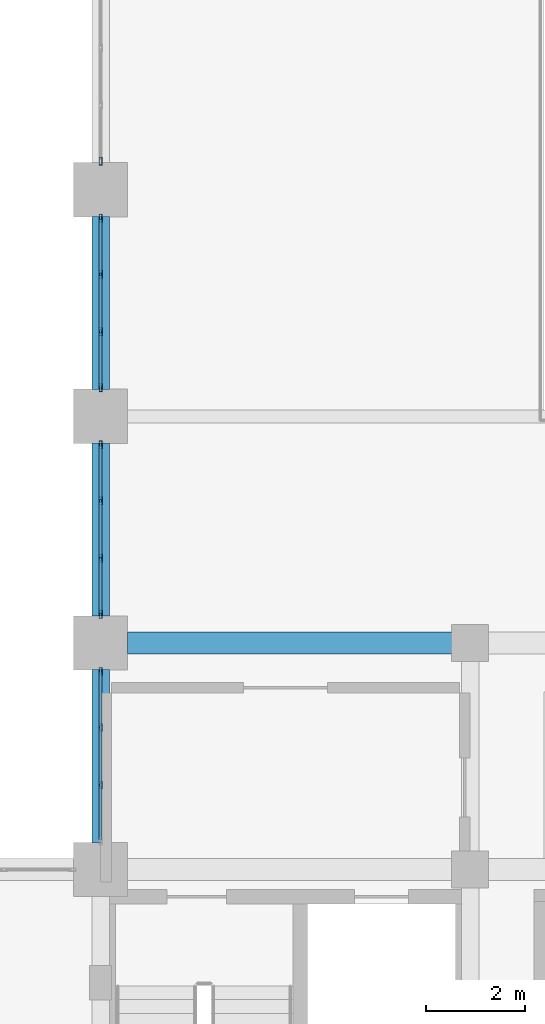
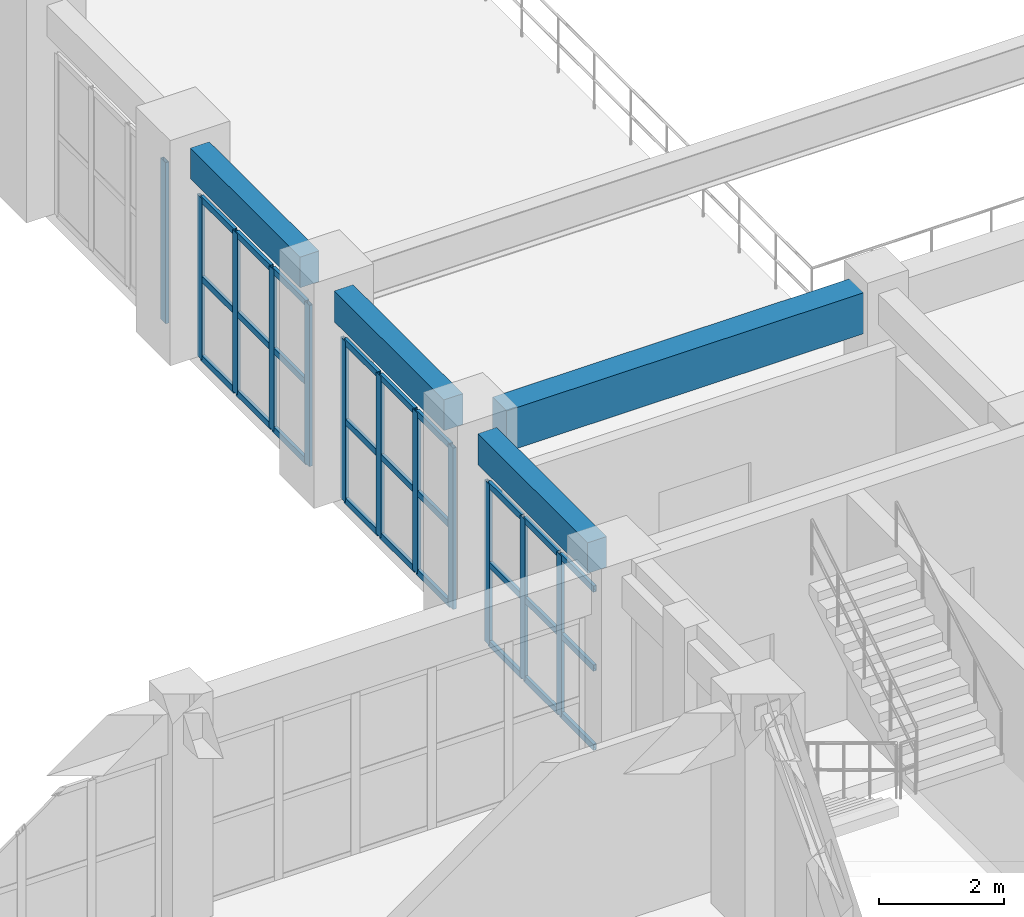
# One storey, part 14 of 90: 39 members, 4 beams, 4 elements without a shape of their own.
"""IFC4 building model written with IfcOpenShell, lengths in metres."""

from ifc_helpers import new_model, si_unit, direction, frame, origin, origin_2d, place, context, subcontext, project, spatial, rectangle, hollow_rectangle, extrude, material, layer, layer_set, material_profile, profile_set, type_object, element, aggregate, save


model = new_model("IFC4")

# Units and contexts
model_context = context("Model", 3, precision=1e-05, world=origin(), true_north=direction((0.0, 1.0)))
body_context = subcontext(model_context, "Body", "Model", "MODEL_VIEW")
ifc_project = project(units=[si_unit("LENGTHUNIT", "METRE"), si_unit("AREAUNIT", "SQUARE_METRE"), si_unit("VOLUMEUNIT", "CUBIC_METRE"), si_unit("PLANEANGLEUNIT", "RADIAN"), si_unit("MASSUNIT", "GRAM", prefix="KILO")], contexts=[model_context])

# Site, building, storey
site_placement = place(None, origin())
site = spatial("IfcSite", under=ifc_project, at=site_placement, CompositionType="ELEMENT")
building_placement = place(site_placement, origin())
building = spatial("IfcBuilding", under=site, at=building_placement, Name="Muzn Square Opera House", CompositionType="ELEMENT")
storey_placement = place(building_placement, frame((0.0, 0.0, 9.800048828125)))
storey = spatial("IfcBuildingStorey", under=building, at=storey_placement, Name="L02", CompositionType="ELEMENT", Elevation=9.800048828125)

# Curtain wall, members
ifc_material_1 = material(Name="Low-E laminated acoustic double glazing", Category="glass")
ifc_layer = layer(ifc_material_1, 0.159912109375, Name="Low-E laminated acoustic double glazing", Category="glass")
ifc_layer_set = layer_set([ifc_layer], Name="Low-E laminated acoustic double glazing")
curtain_wall_type = type_object("IfcCurtainWallType", Name="Glazed Curtain Wall WestVaultCourt 3500x3150", PredefinedType="USERDEFINED", material=ifc_layer_set)
curtain_wall_1_placement = place(storey_placement, origin())
curtain_wall_1 = element("IfcCurtainWall", 1, at=curtain_wall_1_placement, inside=storey, type_object=curtain_wall_type, Name="Glazed Curtain Wall CW-L02-049", ObjectType="GLAZED CURTAIN WALL", PredefinedType="USERDEFINED")
ifc_material_2 = material(Name="Anodised bronze aluminium 6063-T6", Category="metal")
ifc_material_profile_1 = material_profile(ifc_material_2, hollow_rectangle(XDim=0.06005859375, YDim=0.159912109375, WallThickness=0.00390625, at=origin_2d()), Name="ALU 160x60x4", Category="metal")
ifc_profile_set_1 = profile_set([ifc_material_profile_1], Name="Anodised bronze aluminium 6063-T6")
member_type_1 = type_object("IfcMemberType", Name="Curtain Wall Mullion 160x60", PredefinedType="MULLION", material=ifc_profile_set_1)
member_1_placement = place(storey_placement, frame((43.0, 32.916748046875, 0.0), z_axis=(0.0, 0.0, 1.0), x_axis=(-1.0, 0.0, 0.0)))
member_1 = element("IfcMember", 2, at=member_1_placement, type_object=member_type_1, Name="CW-WVC-35x31 mullion 2", PredefinedType="MULLION", context=body_context, shape_type="SweptSolid", body=[
    extrude(hollow_rectangle(XDim=0.06005859375, YDim=0.159912109375, WallThickness=0.00390625, at=origin_2d()), origin(), (0.0, 0.0, 1.0), 3.14990234375),
])
member_2_placement = place(storey_placement, frame((43.0, 34.083251953125, 0.0), z_axis=(0.0, 0.0, 1.0), x_axis=(-1.0, 0.0, 0.0)))
member_2 = element("IfcMember", 3, at=member_2_placement, type_object=member_type_1, Name="CW-WVC-35x31 mullion 3", PredefinedType="MULLION", context=body_context, shape_type="SweptSolid", body=[
    extrude(hollow_rectangle(XDim=0.06005859375, YDim=0.159912109375, WallThickness=0.00390625, at=origin_2d()), origin(), (0.0, 0.0, 1.0), 3.14990234375),
])
member_3_placement = place(storey_placement, frame((43.0, 35.219970703125, 0.0), z_axis=(0.0, 0.0, 1.0), x_axis=(-1.0, 0.0, 0.0)))
member_3 = element("IfcMember", 4, at=member_3_placement, type_object=member_type_1, Name="CW-WVC-35x31 mullion 4", PredefinedType="MULLION", context=body_context, shape_type="SweptSolid", body=[
    extrude(hollow_rectangle(XDim=0.06005859375, YDim=0.159912109375, WallThickness=0.00390625, at=origin_2d()), origin(), (0.0, 0.0, 1.0), 3.14990234375),
])

curtain_wall_2_placement = place(storey_placement, origin())
curtain_wall_2 = element("IfcCurtainWall", 5, at=curtain_wall_2_placement, inside=storey, type_object=curtain_wall_type, Name="Glazed Curtain Wall CW-L02-051", ObjectType="GLAZED CURTAIN WALL", PredefinedType="USERDEFINED")
member_4_placement = place(storey_placement, frame((43.0, 36.3798828125, 0.0), z_axis=(0.0, 0.0, 1.0), x_axis=(-1.0, 0.0, 0.0)))
member_4 = element("IfcMember", 6, at=member_4_placement, type_object=member_type_1, Name="CW-WVC-35x31 mullion 1", PredefinedType="MULLION", context=body_context, shape_type="SweptSolid", body=[
    extrude(hollow_rectangle(XDim=0.06005859375, YDim=0.159912109375, WallThickness=0.00390625, at=origin_2d()), origin(), (0.0, 0.0, 1.0), 3.14990234375),
])
member_5_placement = place(storey_placement, frame((43.0, 37.5166015625, 0.0), z_axis=(0.0, 0.0, 1.0), x_axis=(-1.0, 0.0, 0.0)))
member_5 = element("IfcMember", 7, at=member_5_placement, type_object=member_type_1, Name="CW-WVC-35x31 mullion 2", PredefinedType="MULLION", context=body_context, shape_type="SweptSolid", body=[
    extrude(hollow_rectangle(XDim=0.06005859375, YDim=0.159912109375, WallThickness=0.00390625, at=origin_2d()), origin(), (0.0, 0.0, 1.0), 3.14990234375),
])
member_6_placement = place(storey_placement, frame((43.0, 38.683349609375, 0.0), z_axis=(0.0, 0.0, 1.0), x_axis=(-1.0, 0.0, 0.0)))
member_6 = element("IfcMember", 8, at=member_6_placement, type_object=member_type_1, Name="CW-WVC-35x31 mullion 3", PredefinedType="MULLION", context=body_context, shape_type="SweptSolid", body=[
    extrude(hollow_rectangle(XDim=0.06005859375, YDim=0.159912109375, WallThickness=0.00390625, at=origin_2d()), origin(), (0.0, 0.0, 1.0), 3.14990234375),
])
member_7_placement = place(storey_placement, frame((43.0, 39.820068359375, 0.0), z_axis=(0.0, 0.0, 1.0), x_axis=(-1.0, 0.0, 0.0)))
member_7 = element("IfcMember", 9, at=member_7_placement, type_object=member_type_1, Name="CW-WVC-35x31 mullion 4", PredefinedType="MULLION", context=body_context, shape_type="SweptSolid", body=[
    extrude(hollow_rectangle(XDim=0.06005859375, YDim=0.159912109375, WallThickness=0.00390625, at=origin_2d()), origin(), (0.0, 0.0, 1.0), 3.14990234375),
])

curtain_wall_3_placement = place(storey_placement, origin())
curtain_wall_3 = element("IfcCurtainWall", 10, at=curtain_wall_3_placement, inside=storey, type_object=curtain_wall_type, Name="Glazed Curtain Wall CW-L02-053", ObjectType="GLAZED CURTAIN WALL", PredefinedType="USERDEFINED")
member_8_placement = place(storey_placement, frame((43.0, 40.97998046875, 0.0), z_axis=(0.0, 0.0, 1.0), x_axis=(-1.0, 0.0, 0.0)))
member_8 = element("IfcMember", 11, at=member_8_placement, type_object=member_type_1, Name="CW-WVC-35x31 mullion 1", PredefinedType="MULLION", context=body_context, shape_type="SweptSolid", body=[
    extrude(hollow_rectangle(XDim=0.06005859375, YDim=0.159912109375, WallThickness=0.00390625, at=origin_2d()), origin(), (0.0, 0.0, 1.0), 3.14990234375),
])
member_9_placement = place(storey_placement, frame((43.0, 42.11669921875, 0.0), z_axis=(0.0, 0.0, 1.0), x_axis=(-1.0, 0.0, 0.0)))
member_9 = element("IfcMember", 12, at=member_9_placement, type_object=member_type_1, Name="CW-WVC-35x31 mullion 2", PredefinedType="MULLION", context=body_context, shape_type="SweptSolid", body=[
    extrude(hollow_rectangle(XDim=0.06005859375, YDim=0.159912109375, WallThickness=0.00390625, at=origin_2d()), origin(), (0.0, 0.0, 1.0), 3.14990234375),
])
member_10_placement = place(storey_placement, frame((43.0, 43.283447265625, 0.0), z_axis=(0.0, 0.0, 1.0), x_axis=(-1.0, 0.0, 0.0)))
member_10 = element("IfcMember", 13, at=member_10_placement, type_object=member_type_1, Name="CW-WVC-35x31 mullion 3", PredefinedType="MULLION", context=body_context, shape_type="SweptSolid", body=[
    extrude(hollow_rectangle(XDim=0.06005859375, YDim=0.159912109375, WallThickness=0.00390625, at=origin_2d()), origin(), (0.0, 0.0, 1.0), 3.14990234375),
])
member_11_placement = place(storey_placement, frame((43.0, 44.419921875, 0.0), z_axis=(0.0, 0.0, 1.0), x_axis=(-1.0, 0.0, 0.0)))
member_11 = element("IfcMember", 14, at=member_11_placement, type_object=member_type_1, Name="CW-WVC-35x31 mullion 4", PredefinedType="MULLION", context=body_context, shape_type="SweptSolid", body=[
    extrude(hollow_rectangle(XDim=0.06005859375, YDim=0.159912109375, WallThickness=0.00390625, at=origin_2d()), origin(), (0.0, 0.0, 1.0), 3.14990234375),
])

# Curtain wall, member
curtain_wall_4_placement = place(storey_placement, origin())
curtain_wall_4 = element("IfcCurtainWall", 15, at=curtain_wall_4_placement, inside=storey, type_object=curtain_wall_type, Name="Glazed Curtain Wall CW-L02-055", ObjectType="GLAZED CURTAIN WALL", PredefinedType="USERDEFINED")
member_12_placement = place(storey_placement, frame((43.0, 45.580078125, 0.0), z_axis=(0.0, 0.0, 1.0), x_axis=(-1.0, 0.0, 0.0)))
member_12 = element("IfcMember", 16, at=member_12_placement, type_object=member_type_1, Name="CW-WVC-35x31 mullion 1", PredefinedType="MULLION", context=body_context, shape_type="SweptSolid", body=[
    extrude(hollow_rectangle(XDim=0.06005859375, YDim=0.159912109375, WallThickness=0.00390625, at=origin_2d()), origin(), (0.0, 0.0, 1.0), 3.14990234375),
])
aggregate(curtain_wall_4, [member_12])

# Member
ifc_material_profile_2 = material_profile(ifc_material_2, hollow_rectangle(XDim=0.06005859375, YDim=0.1201171875, WallThickness=0.00390625, at=origin_2d()), Name="ALU 120x60x4", Category="metal")
ifc_profile_set_2 = profile_set([ifc_material_profile_2], Name="Anodised bronze aluminium 6063-T6")
member_type_2 = type_object("IfcMemberType", Name="Curtain Wall Transom 120x60", PredefinedType="USERDEFINED", material=ifc_profile_set_2)
member_13_placement = place(storey_placement, frame((43.0, 31.81005859375, 0.030029296875), z_axis=(0.0, 1.0, 0.0), x_axis=(-1.0, 0.0, 0.0)))
member_13 = element("IfcMember", 17, at=member_13_placement, type_object=member_type_2, Name="CW-WVC-35x31 transom 1.1", ObjectType="TRANSOM", PredefinedType="USERDEFINED", context=body_context, shape_type="SweptSolid", body=[
    extrude(hollow_rectangle(XDim=0.06005859375, YDim=0.1201171875, WallThickness=0.00390625, at=origin_2d()), origin(), (0.0, 0.0, 1.0), 1.07666015625),
])

member_14_placement = place(storey_placement, frame((43.0, 31.81005859375, 1.574951171875), z_axis=(0.0, 1.0, 0.0), x_axis=(-1.0, 0.0, 0.0)))
member_14 = element("IfcMember", 18, at=member_14_placement, type_object=member_type_2, Name="CW-WVC-35x31 transom 1.2", ObjectType="TRANSOM", PredefinedType="USERDEFINED", context=body_context, shape_type="SweptSolid", body=[
    extrude(hollow_rectangle(XDim=0.06005859375, YDim=0.1201171875, WallThickness=0.00390625, at=origin_2d()), origin(), (0.0, 0.0, 1.0), 1.07666015625),
])

member_15_placement = place(storey_placement, frame((43.0, 31.81005859375, 3.119873046875), z_axis=(0.0, 1.0, 0.0), x_axis=(-1.0, 0.0, 0.0)))
member_15 = element("IfcMember", 19, at=member_15_placement, type_object=member_type_2, Name="CW-WVC-35x31 transom 1.3", ObjectType="TRANSOM", PredefinedType="USERDEFINED", context=body_context, shape_type="SweptSolid", body=[
    extrude(hollow_rectangle(XDim=0.06005859375, YDim=0.1201171875, WallThickness=0.00390625, at=origin_2d()), origin(), (0.0, 0.0, 1.0), 1.07666015625),
])

member_16_placement = place(storey_placement, frame((43.0, 32.94677734375, 0.030029296875), z_axis=(0.0, 1.0, 0.0), x_axis=(-1.0, 0.0, 0.0)))
member_16 = element("IfcMember", 20, at=member_16_placement, type_object=member_type_2, Name="CW-WVC-35x31 transom 2.1", ObjectType="TRANSOM", PredefinedType="USERDEFINED", context=body_context, shape_type="SweptSolid", body=[
    extrude(hollow_rectangle(XDim=0.06005859375, YDim=0.1201171875, WallThickness=0.00390625, at=origin_2d()), origin(), (0.0, 0.0, 1.0), 1.1064453125),
])

member_17_placement = place(storey_placement, frame((43.0, 32.94677734375, 1.574951171875), z_axis=(0.0, 1.0, 0.0), x_axis=(-1.0, 0.0, 0.0)))
member_17 = element("IfcMember", 21, at=member_17_placement, type_object=member_type_2, Name="CW-WVC-35x31 transom 2.2", ObjectType="TRANSOM", PredefinedType="USERDEFINED", context=body_context, shape_type="SweptSolid", body=[
    extrude(hollow_rectangle(XDim=0.06005859375, YDim=0.1201171875, WallThickness=0.00390625, at=origin_2d()), origin(), (0.0, 0.0, 1.0), 1.1064453125),
])

member_18_placement = place(storey_placement, frame((43.0, 32.94677734375, 3.119873046875), z_axis=(0.0, 1.0, 0.0), x_axis=(-1.0, 0.0, 0.0)))
member_18 = element("IfcMember", 22, at=member_18_placement, type_object=member_type_2, Name="CW-WVC-35x31 transom 2.3", ObjectType="TRANSOM", PredefinedType="USERDEFINED", context=body_context, shape_type="SweptSolid", body=[
    extrude(hollow_rectangle(XDim=0.06005859375, YDim=0.1201171875, WallThickness=0.00390625, at=origin_2d()), origin(), (0.0, 0.0, 1.0), 1.1064453125),
])

member_19_placement = place(storey_placement, frame((43.0, 34.11328125, 0.030029296875), z_axis=(0.0, 1.0, 0.0), x_axis=(-1.0, 0.0, 0.0)))
member_19 = element("IfcMember", 23, at=member_19_placement, type_object=member_type_2, Name="CW-WVC-35x31 transom 3.1", ObjectType="TRANSOM", PredefinedType="USERDEFINED", context=body_context, shape_type="SweptSolid", body=[
    extrude(hollow_rectangle(XDim=0.06005859375, YDim=0.1201171875, WallThickness=0.00390625, at=origin_2d()), origin(), (0.0, 0.0, 1.0), 1.07666015625),
])

member_20_placement = place(storey_placement, frame((43.0, 34.11328125, 1.574951171875), z_axis=(0.0, 1.0, 0.0), x_axis=(-1.0, 0.0, 0.0)))
member_20 = element("IfcMember", 24, at=member_20_placement, type_object=member_type_2, Name="CW-WVC-35x31 transom 3.2", ObjectType="TRANSOM", PredefinedType="USERDEFINED", context=body_context, shape_type="SweptSolid", body=[
    extrude(hollow_rectangle(XDim=0.06005859375, YDim=0.1201171875, WallThickness=0.00390625, at=origin_2d()), origin(), (0.0, 0.0, 1.0), 1.07666015625),
])

member_21_placement = place(storey_placement, frame((43.0, 34.11328125, 3.119873046875), z_axis=(0.0, 1.0, 0.0), x_axis=(-1.0, 0.0, 0.0)))
member_21 = element("IfcMember", 25, at=member_21_placement, type_object=member_type_2, Name="CW-WVC-35x31 transom 3.3", ObjectType="TRANSOM", PredefinedType="USERDEFINED", context=body_context, shape_type="SweptSolid", body=[
    extrude(hollow_rectangle(XDim=0.06005859375, YDim=0.1201171875, WallThickness=0.00390625, at=origin_2d()), origin(), (0.0, 0.0, 1.0), 1.07666015625),
])

aggregate(curtain_wall_1, [member_1, member_2, member_3, member_13, member_14, member_15, member_16, member_17, member_18, member_19, member_20, member_21])

member_22_placement = place(storey_placement, frame((43.0, 36.409912109375, 0.030029296875), z_axis=(0.0, 1.0, 0.0), x_axis=(-1.0, 0.0, 0.0)))
member_22 = element("IfcMember", 26, at=member_22_placement, type_object=member_type_2, Name="CW-WVC-35x31 transom 1.1", ObjectType="TRANSOM", PredefinedType="USERDEFINED", context=body_context, shape_type="SweptSolid", body=[
    extrude(hollow_rectangle(XDim=0.06005859375, YDim=0.1201171875, WallThickness=0.00390625, at=origin_2d()), origin(), (0.0, 0.0, 1.0), 1.07666015625),
])

member_23_placement = place(storey_placement, frame((43.0, 36.409912109375, 1.574951171875), z_axis=(0.0, 1.0, 0.0), x_axis=(-1.0, 0.0, 0.0)))
member_23 = element("IfcMember", 27, at=member_23_placement, type_object=member_type_2, Name="CW-WVC-35x31 transom 1.2", ObjectType="TRANSOM", PredefinedType="USERDEFINED", context=body_context, shape_type="SweptSolid", body=[
    extrude(hollow_rectangle(XDim=0.06005859375, YDim=0.1201171875, WallThickness=0.00390625, at=origin_2d()), origin(), (0.0, 0.0, 1.0), 1.07666015625),
])

member_24_placement = place(storey_placement, frame((43.0, 36.409912109375, 3.119873046875), z_axis=(0.0, 1.0, 0.0), x_axis=(-1.0, 0.0, 0.0)))
member_24 = element("IfcMember", 28, at=member_24_placement, type_object=member_type_2, Name="CW-WVC-35x31 transom 1.3", ObjectType="TRANSOM", PredefinedType="USERDEFINED", context=body_context, shape_type="SweptSolid", body=[
    extrude(hollow_rectangle(XDim=0.06005859375, YDim=0.1201171875, WallThickness=0.00390625, at=origin_2d()), origin(), (0.0, 0.0, 1.0), 1.07666015625),
])

member_25_placement = place(storey_placement, frame((43.0, 37.546630859375, 0.030029296875), z_axis=(0.0, 1.0, 0.0), x_axis=(-1.0, 0.0, 0.0)))
member_25 = element("IfcMember", 29, at=member_25_placement, type_object=member_type_2, Name="CW-WVC-35x31 transom 2.1", ObjectType="TRANSOM", PredefinedType="USERDEFINED", context=body_context, shape_type="SweptSolid", body=[
    extrude(hollow_rectangle(XDim=0.06005859375, YDim=0.1201171875, WallThickness=0.00390625, at=origin_2d()), origin(), (0.0, 0.0, 1.0), 1.106689453125),
])

member_26_placement = place(storey_placement, frame((43.0, 37.546630859375, 1.574951171875), z_axis=(0.0, 1.0, 0.0), x_axis=(-1.0, 0.0, 0.0)))
member_26 = element("IfcMember", 30, at=member_26_placement, type_object=member_type_2, Name="CW-WVC-35x31 transom 2.2", ObjectType="TRANSOM", PredefinedType="USERDEFINED", context=body_context, shape_type="SweptSolid", body=[
    extrude(hollow_rectangle(XDim=0.06005859375, YDim=0.1201171875, WallThickness=0.00390625, at=origin_2d()), origin(), (0.0, 0.0, 1.0), 1.106689453125),
])

member_27_placement = place(storey_placement, frame((43.0, 37.546630859375, 3.119873046875), z_axis=(0.0, 1.0, 0.0), x_axis=(-1.0, 0.0, 0.0)))
member_27 = element("IfcMember", 31, at=member_27_placement, type_object=member_type_2, Name="CW-WVC-35x31 transom 2.3", ObjectType="TRANSOM", PredefinedType="USERDEFINED", context=body_context, shape_type="SweptSolid", body=[
    extrude(hollow_rectangle(XDim=0.06005859375, YDim=0.1201171875, WallThickness=0.00390625, at=origin_2d()), origin(), (0.0, 0.0, 1.0), 1.106689453125),
])

member_28_placement = place(storey_placement, frame((43.0, 38.71337890625, 0.030029296875), z_axis=(0.0, 1.0, 0.0), x_axis=(-1.0, 0.0, 0.0)))
member_28 = element("IfcMember", 32, at=member_28_placement, type_object=member_type_2, Name="CW-WVC-35x31 transom 3.1", ObjectType="TRANSOM", PredefinedType="USERDEFINED", context=body_context, shape_type="SweptSolid", body=[
    extrude(hollow_rectangle(XDim=0.06005859375, YDim=0.1201171875, WallThickness=0.00390625, at=origin_2d()), origin(), (0.0, 0.0, 1.0), 1.07666015625),
])

member_29_placement = place(storey_placement, frame((43.0, 38.71337890625, 1.574951171875), z_axis=(0.0, 1.0, 0.0), x_axis=(-1.0, 0.0, 0.0)))
member_29 = element("IfcMember", 33, at=member_29_placement, type_object=member_type_2, Name="CW-WVC-35x31 transom 3.2", ObjectType="TRANSOM", PredefinedType="USERDEFINED", context=body_context, shape_type="SweptSolid", body=[
    extrude(hollow_rectangle(XDim=0.06005859375, YDim=0.1201171875, WallThickness=0.00390625, at=origin_2d()), origin(), (0.0, 0.0, 1.0), 1.07666015625),
])

member_30_placement = place(storey_placement, frame((43.0, 38.71337890625, 3.119873046875), z_axis=(0.0, 1.0, 0.0), x_axis=(-1.0, 0.0, 0.0)))
member_30 = element("IfcMember", 34, at=member_30_placement, type_object=member_type_2, Name="CW-WVC-35x31 transom 3.3", ObjectType="TRANSOM", PredefinedType="USERDEFINED", context=body_context, shape_type="SweptSolid", body=[
    extrude(hollow_rectangle(XDim=0.06005859375, YDim=0.1201171875, WallThickness=0.00390625, at=origin_2d()), origin(), (0.0, 0.0, 1.0), 1.07666015625),
])

aggregate(curtain_wall_2, [member_4, member_5, member_6, member_7, member_22, member_23, member_24, member_25, member_26, member_27, member_28, member_29, member_30])

member_31_placement = place(storey_placement, frame((43.0, 41.010009765625, 0.030029296875), z_axis=(0.0, 1.0, 0.0), x_axis=(-1.0, 0.0, 0.0)))
member_31 = element("IfcMember", 35, at=member_31_placement, type_object=member_type_2, Name="CW-WVC-35x31 transom 1.1", ObjectType="TRANSOM", PredefinedType="USERDEFINED", context=body_context, shape_type="SweptSolid", body=[
    extrude(hollow_rectangle(XDim=0.06005859375, YDim=0.1201171875, WallThickness=0.00390625, at=origin_2d()), origin(), (0.0, 0.0, 1.0), 1.07666015625),
])

member_32_placement = place(storey_placement, frame((43.0, 41.010009765625, 1.574951171875), z_axis=(0.0, 1.0, 0.0), x_axis=(-1.0, 0.0, 0.0)))
member_32 = element("IfcMember", 36, at=member_32_placement, type_object=member_type_2, Name="CW-WVC-35x31 transom 1.2", ObjectType="TRANSOM", PredefinedType="USERDEFINED", context=body_context, shape_type="SweptSolid", body=[
    extrude(hollow_rectangle(XDim=0.06005859375, YDim=0.1201171875, WallThickness=0.00390625, at=origin_2d()), origin(), (0.0, 0.0, 1.0), 1.07666015625),
])

member_33_placement = place(storey_placement, frame((43.0, 41.010009765625, 3.119873046875), z_axis=(0.0, 1.0, 0.0), x_axis=(-1.0, 0.0, 0.0)))
member_33 = element("IfcMember", 37, at=member_33_placement, type_object=member_type_2, Name="CW-WVC-35x31 transom 1.3", ObjectType="TRANSOM", PredefinedType="USERDEFINED", context=body_context, shape_type="SweptSolid", body=[
    extrude(hollow_rectangle(XDim=0.06005859375, YDim=0.1201171875, WallThickness=0.00390625, at=origin_2d()), origin(), (0.0, 0.0, 1.0), 1.07666015625),
])

member_34_placement = place(storey_placement, frame((43.0, 42.146728515625, 0.030029296875), z_axis=(0.0, 1.0, 0.0), x_axis=(-1.0, 0.0, 0.0)))
member_34 = element("IfcMember", 38, at=member_34_placement, type_object=member_type_2, Name="CW-WVC-35x31 transom 2.1", ObjectType="TRANSOM", PredefinedType="USERDEFINED", context=body_context, shape_type="SweptSolid", body=[
    extrude(hollow_rectangle(XDim=0.06005859375, YDim=0.1201171875, WallThickness=0.00390625, at=origin_2d()), origin(), (0.0, 0.0, 1.0), 1.106689453125),
])

member_35_placement = place(storey_placement, frame((43.0, 42.146728515625, 1.574951171875), z_axis=(0.0, 1.0, 0.0), x_axis=(-1.0, 0.0, 0.0)))
member_35 = element("IfcMember", 39, at=member_35_placement, type_object=member_type_2, Name="CW-WVC-35x31 transom 2.2", ObjectType="TRANSOM", PredefinedType="USERDEFINED", context=body_context, shape_type="SweptSolid", body=[
    extrude(hollow_rectangle(XDim=0.06005859375, YDim=0.1201171875, WallThickness=0.00390625, at=origin_2d()), origin(), (0.0, 0.0, 1.0), 1.106689453125),
])

member_36_placement = place(storey_placement, frame((43.0, 42.146728515625, 3.119873046875), z_axis=(0.0, 1.0, 0.0), x_axis=(-1.0, 0.0, 0.0)))
member_36 = element("IfcMember", 40, at=member_36_placement, type_object=member_type_2, Name="CW-WVC-35x31 transom 2.3", ObjectType="TRANSOM", PredefinedType="USERDEFINED", context=body_context, shape_type="SweptSolid", body=[
    extrude(hollow_rectangle(XDim=0.06005859375, YDim=0.1201171875, WallThickness=0.00390625, at=origin_2d()), origin(), (0.0, 0.0, 1.0), 1.106689453125),
])

member_37_placement = place(storey_placement, frame((43.0, 43.313232421875, 0.030029296875), z_axis=(0.0, 1.0, 0.0), x_axis=(-1.0, 0.0, 0.0)))
member_37 = element("IfcMember", 41, at=member_37_placement, type_object=member_type_2, Name="CW-WVC-35x31 transom 3.1", ObjectType="TRANSOM", PredefinedType="USERDEFINED", context=body_context, shape_type="SweptSolid", body=[
    extrude(hollow_rectangle(XDim=0.06005859375, YDim=0.1201171875, WallThickness=0.00390625, at=origin_2d()), origin(), (0.0, 0.0, 1.0), 1.07666015625),
])

member_38_placement = place(storey_placement, frame((43.0, 43.313232421875, 1.574951171875), z_axis=(0.0, 1.0, 0.0), x_axis=(-1.0, 0.0, 0.0)))
member_38 = element("IfcMember", 42, at=member_38_placement, type_object=member_type_2, Name="CW-WVC-35x31 transom 3.2", ObjectType="TRANSOM", PredefinedType="USERDEFINED", context=body_context, shape_type="SweptSolid", body=[
    extrude(hollow_rectangle(XDim=0.06005859375, YDim=0.1201171875, WallThickness=0.00390625, at=origin_2d()), origin(), (0.0, 0.0, 1.0), 1.07666015625),
])

member_39_placement = place(storey_placement, frame((43.0, 43.313232421875, 3.119873046875), z_axis=(0.0, 1.0, 0.0), x_axis=(-1.0, 0.0, 0.0)))
member_39 = element("IfcMember", 43, at=member_39_placement, type_object=member_type_2, Name="CW-WVC-35x31 transom 3.3", ObjectType="TRANSOM", PredefinedType="USERDEFINED", context=body_context, shape_type="SweptSolid", body=[
    extrude(hollow_rectangle(XDim=0.06005859375, YDim=0.1201171875, WallThickness=0.00390625, at=origin_2d()), origin(), (0.0, 0.0, 1.0), 1.07666015625),
])

aggregate(curtain_wall_3, [member_8, member_9, member_10, member_11, member_31, member_32, member_33, member_34, member_35, member_36, member_37, member_38, member_39])

# Beams
ifc_material_3 = material(Name="Concrete C40/50", Category="concrete")
ifc_material_profile_3 = material_profile(ifc_material_3, rectangle(XDim=0.35009765625, YDim=0.60009765625, at=origin_2d()), Name="RCB 350x600", Category="concrete")
ifc_profile_set_3 = profile_set([ifc_material_profile_3], Name="Concrete C40/50")
beam_type_1 = type_object("IfcBeamType", Name="Primary Girder 350x600", PredefinedType="BEAM", material=ifc_profile_set_3)
beam_1_placement = place(storey_placement, frame((43.0, 31.741943359375, 3.820068359375), z_axis=(0.0, 1.0, 0.0), x_axis=(-1.0, 0.0, 0.0)))
element("IfcBeam", 44, at=beam_1_placement, inside=storey, type_object=beam_type_1, Name="Primary Girder BM-L02-BM-PG600-430_317_430_353-2155", PredefinedType="BEAM", context=body_context, shape_type="SweptSolid", body=[
    extrude(rectangle(XDim=0.35009765625, YDim=0.60009765625, at=origin_2d()), origin(), (0.0, 0.0, 1.0), 3.51611328125),
])
beam_2_placement = place(storey_placement, frame((43.0, 36.342041015625, 3.820068359375), z_axis=(0.0, 1.0, 0.0), x_axis=(-1.0, 0.0, 0.0)))
element("IfcBeam", 45, at=beam_2_placement, inside=storey, type_object=beam_type_1, Name="Primary Girder BM-L02-BM-PG600-430_363_430_399-2156", PredefinedType="BEAM", context=body_context, shape_type="SweptSolid", body=[
    extrude(rectangle(XDim=0.35009765625, YDim=0.60009765625, at=origin_2d()), origin(), (0.0, 0.0, 1.0), 3.515869140625),
])
beam_3_placement = place(storey_placement, frame((43.0, 40.94189453125, 3.820068359375), z_axis=(0.0, 1.0, 0.0), x_axis=(-1.0, 0.0, 0.0)))
element("IfcBeam", 46, at=beam_3_placement, inside=storey, type_object=beam_type_1, Name="Primary Girder BM-L02-BM-PG600-430_409_430_445-2157", PredefinedType="BEAM", context=body_context, shape_type="SweptSolid", body=[
    extrude(rectangle(XDim=0.35009765625, YDim=0.60009765625, at=origin_2d()), origin(), (0.0, 0.0, 1.0), 3.51611328125),
])
ifc_material_profile_4 = material_profile(ifc_material_3, rectangle(XDim=0.449951171875, YDim=0.800048828125, at=origin_2d()), Name="RCB 450x800", Category="concrete")
ifc_profile_set_4 = profile_set([ifc_material_profile_4], Name="Concrete C40/50")
beam_type_2 = type_object("IfcBeamType", Name="Primary Girder 450x800", PredefinedType="BEAM", material=ifc_profile_set_4)
beam_4_placement = place(storey_placement, frame((43.5419921875, 35.800048828125, 3.719970703125), z_axis=(1.0, 0.0, 0.0), x_axis=(0.0, 1.0, 0.0)))
element("IfcBeam", 47, at=beam_4_placement, inside=storey, type_object=beam_type_2, Name="Primary Girder BM-L02-BM-PG800-435_358_501_358-1998", PredefinedType="BEAM", context=body_context, shape_type="SweptSolid", body=[
    extrude(rectangle(XDim=0.449951171875, YDim=0.800048828125, at=origin_2d()), origin(), (0.0, 0.0, 1.0), 6.591064453125),
])

save(model, "model.ifc")
